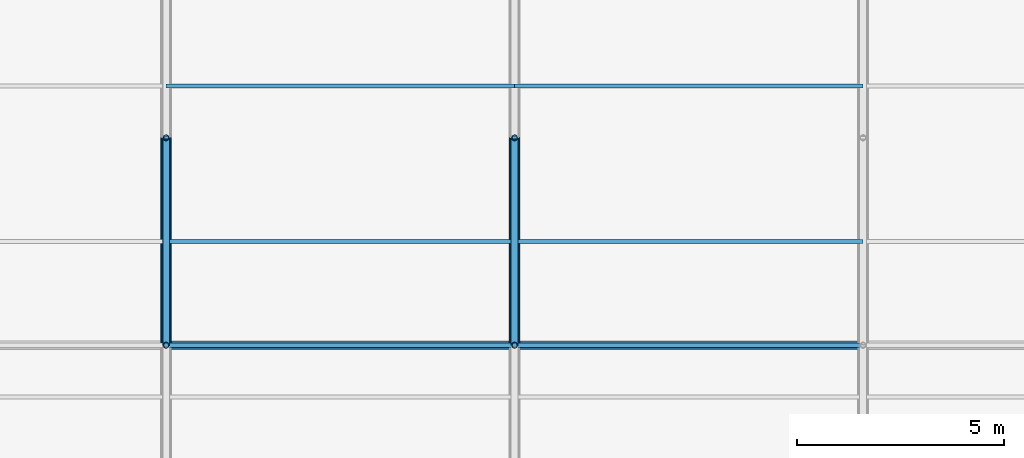
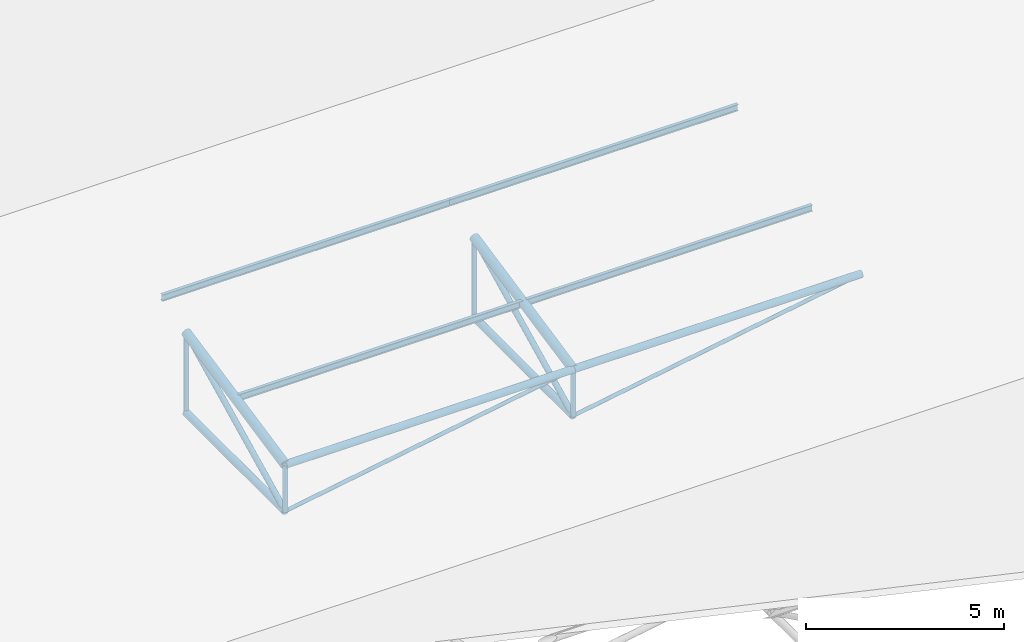
# One storey, part 102 of 194: 14 members, 4 beams.
"""IFC4 building model written with IfcOpenShell, lengths in metres."""

import ifcopenshell
import ifcopenshell.guid

model = None  # the IFC model being written
_history = None  # IfcOwnerHistory: only IFC2X3 demands one
_inside = {}  # id of a spatial element -> (the spatial element, [elements in it])
_under = {}  # id of a project, library or spatial element -> (it, [spatial elements below it])
_declared = {}  # id of a project -> (the project, [libraries it declares])
_typed = {}  # id of a type object -> (the type object, [elements of that type])
_made_of = {}  # id of a material, layer set ... -> (it, [elements and type objects made of it])


def new_model(schema):
    """Start an empty IFC model of exactly this schema.

    Asked for "IFC4X3", IfcOpenShell would pick the latest addendum, in which some entities
    have other attributes; the version numbers below select the first issue.
    IFC2X3 requires an IfcOwnerHistory on every rooted entity: one is made here for all.
    """
    global model, _history
    if schema == "IFC4X3":
        model = ifcopenshell.file(schema_version=(4, 3, 0, 0))
    else:
        model = ifcopenshell.file(schema=schema)
    _inside.clear()
    _under.clear()
    _declared.clear()
    _typed.clear()
    _made_of.clear()
    _history = None
    if model.schema == "IFC2X3":
        org = make("IfcOrganization", Name="unknown")
        user = make(
            "IfcPersonAndOrganization",
            ThePerson=make("IfcPerson", FamilyName="unknown"),
            TheOrganization=org,
        )
        app = make(
            "IfcApplication",
            ApplicationDeveloper=org,
            Version="unknown",
            ApplicationFullName="unknown",
            ApplicationIdentifier="unknown",
        )
        _history = make(
            "IfcOwnerHistory",
            OwningUser=user,
            OwningApplication=app,
            ChangeAction="ADDED",
            CreationDate=0,
        )
    return model


def make(cls, **values):
    """One entity of the class cls with the attributes given. An attribute that is None is left unset."""
    return model.create_entity(
        cls, **{name: value for name, value in values.items() if value is not None}
    )


def rooted(cls, **values):
    """An entity with a GlobalId (a new one), such as an element, a storey or a relation."""
    return make(cls, GlobalId=ifcopenshell.guid.new(), OwnerHistory=_history, **values)


def si_unit(unit_type, name, prefix=None):
    """IfcSIUnit, for example si_unit("LENGTHUNIT", "METRE", prefix="MILLI")."""
    return make("IfcSIUnit", UnitType=unit_type, Prefix=prefix, Name=name)


def assignment(units):
    """IfcUnitAssignment: the units of a project."""
    return None if units is None else make("IfcUnitAssignment", Units=units)


def point(xyz):
    """IfcCartesianPoint."""
    return None if xyz is None else make("IfcCartesianPoint", Coordinates=xyz)


def direction(xyz):
    """IfcDirection."""
    return None if xyz is None else make("IfcDirection", DirectionRatios=xyz)


def frame(location, z_axis=None, x_axis=None):
    """IfcAxis2Placement3D, a coordinate frame: its origin and axes. An axis left out is left unset."""
    return make(
        "IfcAxis2Placement3D",
        Location=point(location),
        Axis=direction(z_axis),
        RefDirection=direction(x_axis),
    )


def frame_2d(location, x_axis=None):
    """IfcAxis2Placement2D, a coordinate frame in the plane: its origin and x axis."""
    return make(
        "IfcAxis2Placement2D", Location=point(location), RefDirection=direction(x_axis)
    )


def origin():
    """The frame at (0, 0, 0) with its axes left unset."""
    return frame((0.0, 0.0, 0.0))


def origin_2d():
    """The frame at (0, 0) in the plane with its x axis left unset."""
    return frame_2d((0.0, 0.0))


def place(relative_to, where):
    """IfcLocalPlacement: puts the frame where relative to a parent placement (None: the world)."""
    return make(
        "IfcLocalPlacement", PlacementRelTo=relative_to, RelativePlacement=where
    )


def context(
    kind, dimensions, precision=None, world=None, true_north=None, identifier=None
):
    """IfcGeometricRepresentationContext, for example the 3D "Model" context."""
    return make(
        "IfcGeometricRepresentationContext",
        ContextIdentifier=identifier,
        ContextType=kind,
        CoordinateSpaceDimension=dimensions,
        Precision=precision,
        WorldCoordinateSystem=world,
        TrueNorth=true_north,
    )


def subcontext(parent, identifier, kind, view, scale=None):
    """IfcGeometricRepresentationSubContext, for example "Body" below "Model"."""
    return make(
        "IfcGeometricRepresentationSubContext",
        ContextIdentifier=identifier,
        ContextType=kind,
        ParentContext=parent,
        TargetScale=scale,
        TargetView=view,
    )


def project(units=None, contexts=None):
    """IfcProject with its units and contexts."""
    return rooted(
        "IfcProject",
        Name="project",
        RepresentationContexts=contexts,
        UnitsInContext=assignment(units),
    )


def spatial(cls, under=None, at=None, **own):
    """A site, building, storey or space (cls), placed at a placement, below another one or the project."""
    s = rooted(cls, ObjectPlacement=at, **own)
    if under is not None:
        _under.setdefault(under.id(), (under, []))[1].append(s)
    return s


def profile(cls, at=None, kind="AREA", **sizes):
    """A parametric profile (cls). Its sizes go by their IFC names, for example OverallWidth=200.0."""
    return make(cls, ProfileType=kind, Position=at, **sizes)


def hollow_circle(**sizes):
    """IfcCircleHollowProfileDef."""
    return profile("IfcCircleHollowProfileDef", **sizes)


def i_section(**sizes):
    """IfcIShapeProfileDef."""
    return profile("IfcIShapeProfileDef", **sizes)


def extrude(swept, where, along, depth):
    """IfcExtrudedAreaSolid: the profile swept, set in the frame where, extruded along a direction by depth."""
    return make(
        "IfcExtrudedAreaSolid",
        SweptArea=swept,
        Position=where,
        ExtrudedDirection=direction(along),
        Depth=depth,
    )


def shape(context_of_items, identifier, shape_type, items):
    """IfcShapeRepresentation: the items that make up one representation, for example the "Body"."""
    return make(
        "IfcShapeRepresentation",
        ContextOfItems=context_of_items,
        RepresentationIdentifier=identifier,
        RepresentationType=shape_type,
        Items=items,
    )


def material(Name=None, Category=None):
    """IfcMaterial."""
    return make("IfcMaterial", Name=Name, Category=Category)


def material_profile(
    of_material, cross_section, Name=None, Category=None, Priority=None
):
    """IfcMaterialProfile: a cross section and its material."""
    return make(
        "IfcMaterialProfile",
        Name=Name,
        Material=of_material,
        Profile=cross_section,
        Priority=Priority,
        Category=Category,
    )


def profile_set(profiles, Name=None, composite=None):
    """IfcMaterialProfileSet."""
    return make(
        "IfcMaterialProfileSet",
        Name=Name,
        MaterialProfiles=profiles,
        CompositeProfile=composite,
    )


def made_of(thing, what):
    """Note that an element or type object is made of a material, layer set ...; save() writes the relation."""
    if what is not None:
        _made_of.setdefault(what.id(), (what, []))[1].append(thing)
    return thing


def type_object(cls, material=None, **own):
    """A type object (cls), such as IfcWallType, which elements share."""
    return made_of(rooted(cls, **own), material)


def element(
    cls,
    number,
    at=None,
    inside=None,
    cuts=None,
    type_object=None,
    material=None,
    context=None,
    identifier="Body",
    shape_type=None,
    held_by="IfcProductDefinitionShape",
    body=None,
    shapes=None,
    **own,
):
    """One element of the class cls, such as IfcWall. Its Tag is "e" and its number.

    at: its placement. inside: the storey or other place that contains it. cuts: it is an
    opening in that element (IfcRelVoidsElement). A single representation is given by context,
    identifier, shape_type and body (its items); several are given by shapes. held_by: the class
    of the entity that holds the representations. save() writes the other relations.
    """
    e = rooted(cls, Tag="e%d" % number, ObjectPlacement=at, **own)
    if body is not None:
        shapes = [shape(context, identifier, shape_type, body)]
    if shapes is not None:
        e.Representation = make(held_by, Representations=shapes)
    if inside is not None:
        _inside.setdefault(inside.id(), (inside, []))[1].append(e)
    if cuts is not None:
        rooted(
            "IfcRelVoidsElement", RelatingBuildingElement=cuts, RelatedOpeningElement=e
        )
    if type_object is not None:
        _typed.setdefault(type_object.id(), (type_object, []))[1].append(e)
    return made_of(e, material)


def aggregate(whole, parts):
    """IfcRelAggregates: a whole, such as a stair, and the parts it consists of."""
    return rooted("IfcRelAggregates", RelatingObject=whole, RelatedObjects=parts)


def save(model, path):
    """Write the relations noted so far, then the file.

    IfcRelAggregates (storeys below a building ...), IfcRelContainedInSpatialStructure (elements
    in a storey), IfcRelDefinesByType, IfcRelAssociatesMaterial and IfcRelDeclares: one each for
    every whole, place, type object, material and project.
    """
    for whole, parts in _under.values():
        aggregate(whole, parts)
    for where, things in _inside.values():
        rooted(
            "IfcRelContainedInSpatialStructure",
            RelatedElements=things,
            RelatingStructure=where,
        )
    for kind, things in _typed.values():
        rooted("IfcRelDefinesByType", RelatedObjects=things, RelatingType=kind)
    for what, things in _made_of.values():
        rooted("IfcRelAssociatesMaterial", RelatedObjects=things, RelatingMaterial=what)
    for by, libraries in _declared.values():
        rooted("IfcRelDeclares", RelatingContext=by, RelatedDefinitions=libraries)
    model.write(path)


model = new_model("IFC4")

# Units and contexts
model_context = context("Model", 3, precision=1e-05, world=origin(), true_north=direction((0.0, 1.0)))
body_context = subcontext(model_context, "Body", "Model", "MODEL_VIEW")
ifc_project = project(units=[si_unit("LENGTHUNIT", "METRE"), si_unit("AREAUNIT", "SQUARE_METRE"), si_unit("VOLUMEUNIT", "CUBIC_METRE"), si_unit("PLANEANGLEUNIT", "RADIAN"), si_unit("MASSUNIT", "GRAM", prefix="KILO")], contexts=[model_context])

# Site, building, storey
site_placement = place(None, origin())
site = spatial("IfcSite", under=ifc_project, at=site_placement, CompositionType="ELEMENT")
building_placement = place(site_placement, origin())
building = spatial("IfcBuilding", under=site, at=building_placement, Name="Kazenagashi Tramway Depot", CompositionType="ELEMENT")
storey_placement = place(building_placement, frame((0.0, 0.0, 23.7)))
storey = spatial("IfcBuildingStorey", under=building, at=storey_placement, Name="ROOF", CompositionType="ELEMENT", Elevation=23.7)

# Beams
ifc_material_1 = material(Name="Steel SN400B", Category="steel")
ifc_material_profile_1 = material_profile(ifc_material_1, i_section(OverallWidth=0.1, OverallDepth=0.2, WebThickness=0.0055, FlangeThickness=0.008, at=origin_2d()), Name="H-200x100x5.5x8")
ifc_profile_set_1 = profile_set([ifc_material_profile_1], Name="Steel SN400B")
beam_type = type_object("IfcBeamType", Name="PR-01", PredefinedType="USERDEFINED", material=ifc_profile_set_1)
for number, where, z_axis, x_axis, name in (
    (1, (162.4, 107.5, -12.13), (1.0, 0.0, 0.0), (0.0, 1.0, 0.0), "Beam PR-01 BM-2158"),
    (2, (170.8, 107.5, -12.13), (1.0, 0.0, 0.0), (0.0, 1.0, 0.0), "Beam PR-01 BM-2159"),
    (3, (162.4, 111.25, -11.305), (1.0, 0.0, 0.0), (0.0, 1.0, 0.0), "Beam PR-01 BM-2176"),
    (4, (170.8, 111.25, -11.305), (1.0, 0.0, 0.0), (0.0, 1.0, 0.0), "Beam PR-01 BM-2177"),
):
    element("IfcBeam", number, at=place(storey_placement, frame(where, z_axis=z_axis, x_axis=x_axis)), inside=storey, type_object=beam_type, Name=name, ObjectType="PURLIN", PredefinedType="USERDEFINED", context=body_context, shape_type="SweptSolid", body=[
        extrude(i_section(OverallWidth=0.1, OverallDepth=0.2, WebThickness=0.0055, FlangeThickness=0.008, at=origin_2d()), origin(), (0.0, 0.0, 1.0), 8.4),
    ])

# Members
ifc_material_2 = material(Name="Steel STK490", Category="steel")
ifc_material_profile_2 = material_profile(ifc_material_2, hollow_circle(Radius=0.1337, WallThickness=0.0093, at=origin_2d()), Name="CHS-267.4x9.3")
ifc_profile_set_2 = profile_set([ifc_material_profile_2], Name="Steel STK490")
member_type_1 = type_object("IfcMemberType", Name="TC-01", PredefinedType="CHORD", material=ifc_profile_set_2)
for number, where, z_axis, x_axis, name in (
    (5, (162.4, 105.0, -12.667), (0.0, 0.979279174591, 0.202514933305), (-1.0, 0.0, 0.0), "Tubular Space Frame TC-01 MEM-0889"),
    (6, (170.8, 105.0, -12.667), (0.0, 0.979279174591, 0.202514933305), (-1.0, 0.0, 0.0), "Tubular Space Frame TC-01 MEM-0950"),
):
    element("IfcMember", number, at=place(storey_placement, frame(where, z_axis=z_axis, x_axis=x_axis)), inside=storey, type_object=member_type_1, Name=name, PredefinedType="CHORD", context=body_context, shape_type="SweptSolid", body=[
        extrude(hollow_circle(Radius=0.1337, WallThickness=0.0093, at=origin_2d()), origin(), (0.0, 0.0, 1.0), 5.105796),
    ])
ifc_material_profile_3 = material_profile(ifc_material_2, hollow_circle(Radius=0.10815, WallThickness=0.0082, at=origin_2d()), Name="CHS-216.3x8.2")
ifc_profile_set_3 = profile_set([ifc_material_profile_3], Name="Steel STK490")
member_type_2 = type_object("IfcMemberType", Name="TC-02", PredefinedType="CHORD", material=ifc_profile_set_3)
member_1_placement = place(storey_placement, frame((162.4, 105.0, -14.1), z_axis=(0.0, 1.0, 0.0), x_axis=(-1.0, 0.0, 0.0)))
element("IfcMember", 7, at=member_1_placement, inside=storey, type_object=member_type_2, Name="Tubular Space Frame TC-02 MEM-0890", PredefinedType="CHORD", context=body_context, shape_type="SweptSolid", body=[
    extrude(hollow_circle(Radius=0.10815, WallThickness=0.0082, at=origin_2d()), origin(), (0.0, 0.0, 1.0), 5.0),
])
member_2_placement = place(storey_placement, frame((162.4, 105.0, -12.667), z_axis=(1.0, 0.0, 0.0), x_axis=(0.0, 1.0, 0.0)))
element("IfcMember", 8, at=member_2_placement, inside=storey, type_object=member_type_2, Name="Tubular Space Frame TC-02 MEM-0910", PredefinedType="CHORD", context=body_context, shape_type="SweptSolid", body=[
    extrude(hollow_circle(Radius=0.10815, WallThickness=0.0082, at=origin_2d()), origin(), (0.0, 0.0, 1.0), 8.4),
])
member_3_placement = place(storey_placement, frame((170.8, 105.0, -14.1), z_axis=(0.0, 1.0, 0.0), x_axis=(-1.0, 0.0, 0.0)))
element("IfcMember", 9, at=member_3_placement, inside=storey, type_object=member_type_2, Name="Tubular Space Frame TC-02 MEM-0951", PredefinedType="CHORD", context=body_context, shape_type="SweptSolid", body=[
    extrude(hollow_circle(Radius=0.10815, WallThickness=0.0082, at=origin_2d()), origin(), (0.0, 0.0, 1.0), 5.0),
])
member_4_placement = place(storey_placement, frame((170.8, 105.0, -12.667), z_axis=(1.0, 0.0, 0.0), x_axis=(0.0, 1.0, 0.0)))
element("IfcMember", 10, at=member_4_placement, inside=storey, type_object=member_type_2, Name="Tubular Space Frame TC-02 MEM-0971", PredefinedType="CHORD", context=body_context, shape_type="SweptSolid", body=[
    extrude(hollow_circle(Radius=0.10815, WallThickness=0.0082, at=origin_2d()), origin(), (0.0, 0.0, 1.0), 8.4),
])
ifc_material_profile_4 = material_profile(ifc_material_2, hollow_circle(Radius=0.0826, WallThickness=0.0071, at=origin_2d()), Name="CHS-165.2x7.1")
ifc_profile_set_4 = profile_set([ifc_material_profile_4], Name="Steel STK490")
member_type_3 = type_object("IfcMemberType", Name="TS-01", PredefinedType="STRUT", material=ifc_profile_set_4)
for number, where, z_axis, x_axis, name in (
    (11, (162.4, 105.0, -14.1), (0.0, 0.896782162482, 0.442472318969), (-1.0, 0.0, 0.0), "Tubular Space Frame TS-01 MEM-0891"),
    (12, (170.8, 105.0, -14.1), (0.0, 0.896782162482, 0.442472318969), (-1.0, 0.0, 0.0), "Tubular Space Frame TS-01 MEM-0952"),
):
    element("IfcMember", number, at=place(storey_placement, frame(where, z_axis=z_axis, x_axis=x_axis)), inside=storey, type_object=member_type_3, Name=name, PredefinedType="STRUT", context=body_context, shape_type="SweptSolid", body=[
        extrude(hollow_circle(Radius=0.0826, WallThickness=0.0071, at=origin_2d()), origin(), (0.0, 0.0, 1.0), 5.57549),
    ])
ifc_material_profile_5 = material_profile(ifc_material_2, hollow_circle(Radius=0.0699, WallThickness=0.0066, at=origin_2d()), Name="CHS-139.8x6.6")
ifc_profile_set_5 = profile_set([ifc_material_profile_5], Name="Steel STK490")
member_type_4 = type_object("IfcMemberType", Name="TS-02", PredefinedType="STRUT", material=ifc_profile_set_5)
member_5_placement = place(storey_placement, frame((162.4, 105.0, -14.1), z_axis=(0.0, 0.0, 1.0), x_axis=(1.0, 0.0, 0.0)))
element("IfcMember", 13, at=member_5_placement, inside=storey, type_object=member_type_4, Name="Tubular Space Frame TS-02 MEM-0904", PredefinedType="STRUT", context=body_context, shape_type="SweptSolid", body=[
    extrude(hollow_circle(Radius=0.0699, WallThickness=0.0066, at=origin_2d()), origin(), (0.0, 0.0, 1.0), 1.433),
])
member_6_placement = place(storey_placement, frame((162.4, 110.0, -14.1), z_axis=(0.0, 0.0, 1.0), x_axis=(1.0, 0.0, 0.0)))
element("IfcMember", 14, at=member_6_placement, inside=storey, type_object=member_type_4, Name="Tubular Space Frame TS-02 MEM-0905", PredefinedType="STRUT", context=body_context, shape_type="SweptSolid", body=[
    extrude(hollow_circle(Radius=0.0699, WallThickness=0.0066, at=origin_2d()), origin(), (0.0, 0.0, 1.0), 2.467),
])
member_7_placement = place(storey_placement, frame((170.8, 105.0, -14.1), z_axis=(0.0, 0.0, 1.0), x_axis=(1.0, 0.0, 0.0)))
element("IfcMember", 15, at=member_7_placement, inside=storey, type_object=member_type_4, Name="Tubular Space Frame TS-02 MEM-0965", PredefinedType="STRUT", context=body_context, shape_type="SweptSolid", body=[
    extrude(hollow_circle(Radius=0.0699, WallThickness=0.0066, at=origin_2d()), origin(), (0.0, 0.0, 1.0), 1.433),
])
member_8_placement = place(storey_placement, frame((170.8, 110.0, -14.1), z_axis=(0.0, 0.0, 1.0), x_axis=(1.0, 0.0, 0.0)))
element("IfcMember", 16, at=member_8_placement, inside=storey, type_object=member_type_4, Name="Tubular Space Frame TS-02 MEM-0966", PredefinedType="STRUT", context=body_context, shape_type="SweptSolid", body=[
    extrude(hollow_circle(Radius=0.0699, WallThickness=0.0066, at=origin_2d()), origin(), (0.0, 0.0, 1.0), 2.467),
])
ifc_material_3 = material(Name="Steel STK400", Category="steel")
ifc_material_profile_6 = material_profile(ifc_material_3, hollow_circle(Radius=0.05715, WallThickness=0.0045, at=origin_2d()), Name="CHS-114.3x4.5")
ifc_profile_set_6 = profile_set([ifc_material_profile_6], Name="Steel STK400")
member_type_5 = type_object("IfcMemberType", Name="TS-03", PredefinedType="STRUT", material=ifc_profile_set_6)
for number, where, z_axis, x_axis, name in (
    (17, (162.4, 105.0, -14.1), (0.985758734117, 0.0, 0.168165745951), (0.0, 1.0, 0.0), "Tubular Space Frame TS-03 MEM-0911"),
    (18, (170.8, 105.0, -14.1), (0.985758734117, 0.0, 0.168165745951), (0.0, 1.0, 0.0), "Tubular Space Frame TS-03 MEM-0972"),
):
    element("IfcMember", number, at=place(storey_placement, frame(where, z_axis=z_axis, x_axis=x_axis)), inside=storey, type_object=member_type_5, Name=name, PredefinedType="STRUT", context=body_context, shape_type="SweptSolid", body=[
        extrude(hollow_circle(Radius=0.05715, WallThickness=0.0045, at=origin_2d()), origin(), (0.0, 0.0, 1.0), 8.521355),
    ])

save(model, "model.ifc")
